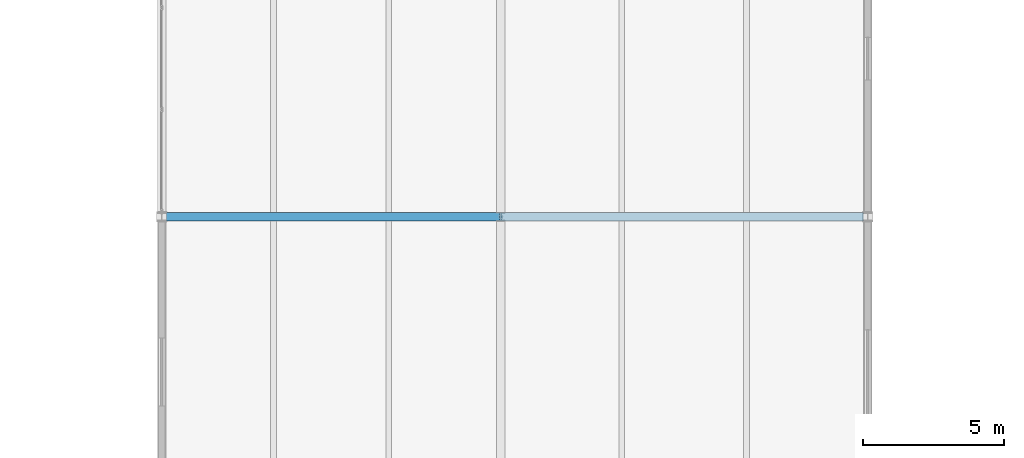
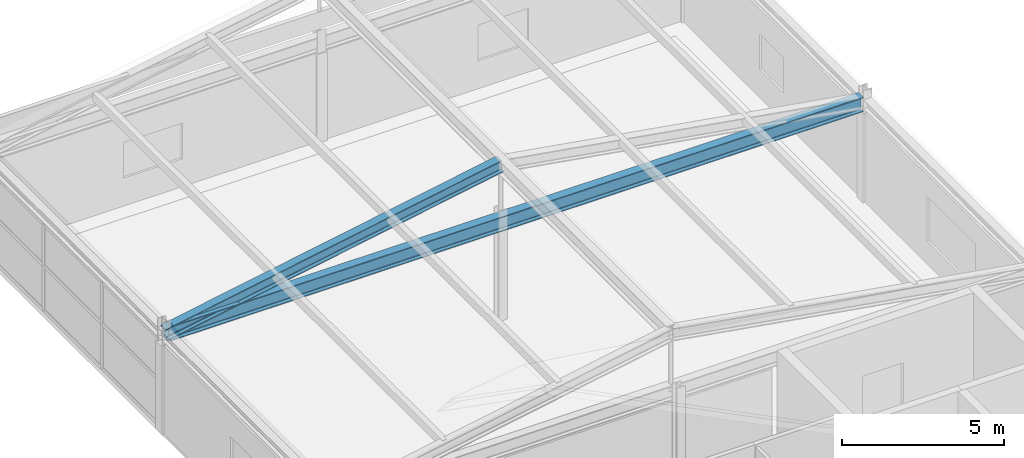
# One storey, part 22 of 63: 1 beam, 1 member.
"""IFC4 building model written with IfcOpenShell, lengths in metres."""

from ifc_helpers import new_model, si_unit, direction, frame, origin, origin_2d, place, context, subcontext, project, spatial, i_section, extrude, material, material_profile, profile_set, type_object, element, save


model = new_model("IFC4")

# Units and contexts
model_context = context("Model", 3, precision=1e-05, world=origin(), true_north=direction((0.0, 1.0)))
body_context = subcontext(model_context, "Body", "Model", "MODEL_VIEW")
ifc_project = project(units=[si_unit("LENGTHUNIT", "METRE"), si_unit("AREAUNIT", "SQUARE_METRE"), si_unit("VOLUMEUNIT", "CUBIC_METRE"), si_unit("PLANEANGLEUNIT", "RADIAN"), si_unit("MASSUNIT", "GRAM", prefix="KILO")], contexts=[model_context])

# Site, building, storey
site_placement = place(None, origin())
site = spatial("IfcSite", under=ifc_project, at=site_placement, CompositionType="ELEMENT")
building_placement = place(site_placement, origin())
building = spatial("IfcBuilding", under=site, at=building_placement, Name="Tarnveldt Headland Concert Hall", CompositionType="ELEMENT")
storey_placement = place(building_placement, frame((0.0, 0.0, 14.39990234375)))
storey = spatial("IfcBuildingStorey", under=building, at=storey_placement, Name="L03", CompositionType="ELEMENT", Elevation=14.39990234375)

# Member
ifc_material = material(Name="Steel S355", Category="steel")
ifc_material_profile_1 = material_profile(ifc_material, i_section(OverallWidth=0.300048828125, OverallDepth=0.449951171875, WebThickness=0.013916015625, FlangeThickness=0.02587890625, FilletRadius=0.027099609375, at=origin_2d()), Name="HEB450", Category="steel")
ifc_profile_set_1 = profile_set([ifc_material_profile_1], Name="Steel S355")
member_type = type_object("IfcMemberType", Name="RF-HEB450", PredefinedType="RAFTER", material=ifc_profile_set_1)
member_placement = place(storey_placement, frame((19.5, 104.0, 3.68017578125), z_axis=(0.983897122422, 0.0, 0.178735705691), x_axis=(0.0, 1.0, 0.0)))
element("IfcMember", 1, at=member_placement, inside=storey, type_object=member_type, Name="ROOF TRUSS Rehearsal rafter N-2W", PredefinedType="RAFTER", context=body_context, shape_type="SweptSolid", body=[
    extrude(i_section(OverallWidth=0.300048828125, OverallDepth=0.449951171875, WebThickness=0.013916015625, FlangeThickness=0.02587890625, FilletRadius=0.027099609375, at=origin_2d()), origin(), (0.0, 0.0, 1.0), 12.1962890625),
])

# Beam
ifc_material_profile_2 = material_profile(ifc_material, i_section(OverallWidth=0.300048828125, OverallDepth=0.550048828125, WebThickness=0.014892578125, FlangeThickness=0.029052734375, FilletRadius=0.027099609375, at=origin_2d()), Name="HEB550", Category="steel")
ifc_profile_set_2 = profile_set([ifc_material_profile_2], Name="Steel S355")
beam_type = type_object("IfcBeamType", Name="SB-HEB550", PredefinedType="BEAM", material=ifc_profile_set_2)
beam_placement = place(storey_placement, frame((19.64990234375, 104.0, 3.68017578125), z_axis=(1.0, 0.0, 0.0), x_axis=(0.0, 1.0, 0.0)))
element("IfcBeam", 2, at=beam_placement, inside=storey, type_object=beam_type, Name="ROOF TRUSS bottom tie girder N-2", PredefinedType="BEAM", context=body_context, shape_type="SweptSolid", body=[
    extrude(i_section(OverallWidth=0.300048828125, OverallDepth=0.550048828125, WebThickness=0.014892578125, FlangeThickness=0.029052734375, FilletRadius=0.027099609375, at=origin_2d()), origin(), (0.0, 0.0, 1.0), 24.7001953125),
])

save(model, "model.ifc")
